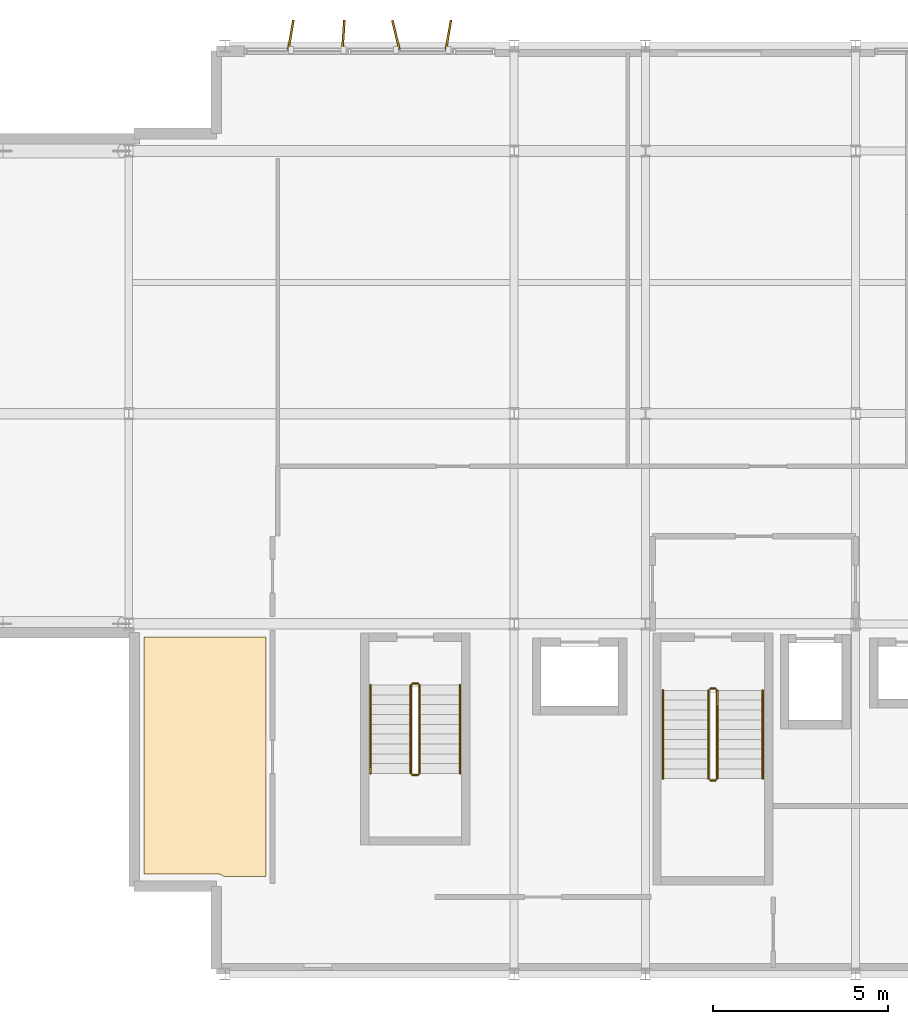
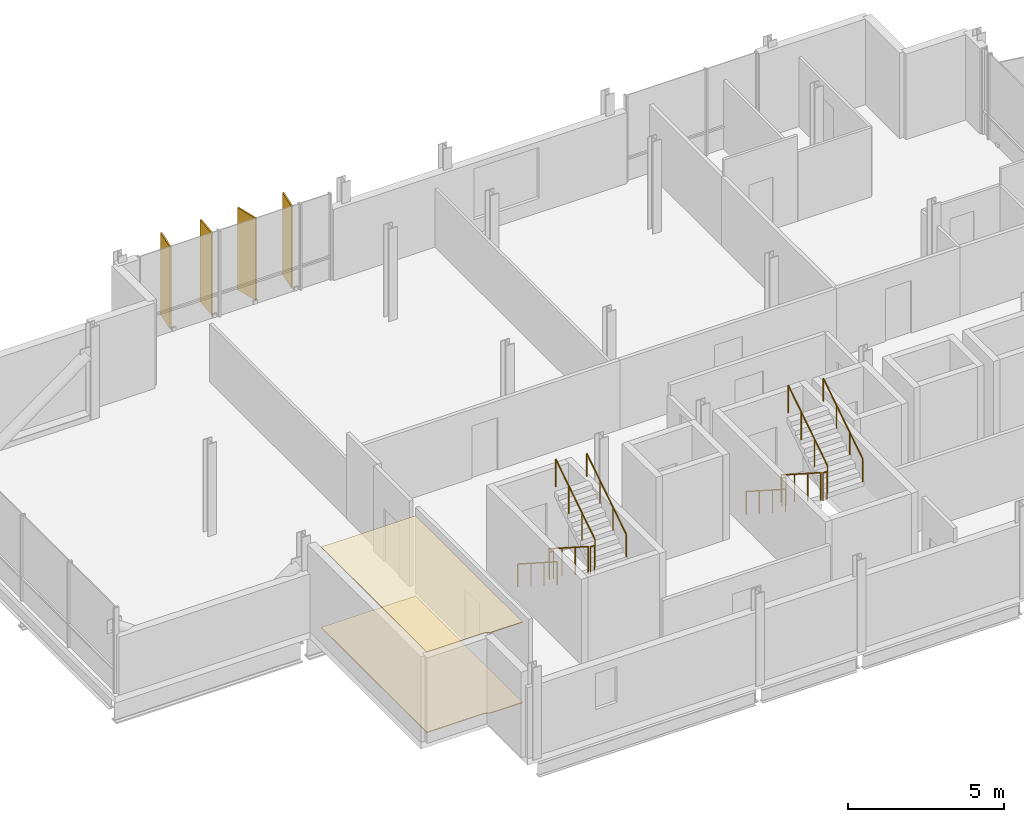
# One storey, part 17 of 18: 12 railings, 4 shading devices, 2 coverings.
"""IFC4 building model written with IfcOpenShell, lengths in metres."""

from ifc_helpers import new_model, si_unit, direction, frame, origin, origin_2d, place, context, subcontext, project, spatial, polyline, rectangle, circle, outline, extrude, material, layer, layer_set, type_object, element, save


model = new_model("IFC4")

# Units and contexts
model_context = context("Model", 3, precision=1e-05, world=origin(), true_north=direction((0.0, 1.0)))
body_context = subcontext(model_context, "Body", "Model", "MODEL_VIEW")
ifc_project = project(units=[si_unit("LENGTHUNIT", "METRE"), si_unit("AREAUNIT", "SQUARE_METRE"), si_unit("VOLUMEUNIT", "CUBIC_METRE"), si_unit("PLANEANGLEUNIT", "RADIAN"), si_unit("MASSUNIT", "GRAM", prefix="KILO")], contexts=[model_context])

# Site, building, storey
site_placement = place(None, origin())
site = spatial("IfcSite", under=ifc_project, at=site_placement, CompositionType="ELEMENT")
building_placement = place(site_placement, origin())
building = spatial("IfcBuilding", under=site, at=building_placement, Name="Brevholm Reach", CompositionType="ELEMENT")
storey_placement = place(building_placement, frame((0.0, 0.0, 243.64990234375)))
storey = spatial("IfcBuildingStorey", under=building, at=storey_placement, Name="L74", CompositionType="ELEMENT", Elevation=243.64990234375)

# Coverings
ifc_material_1 = material(Name="Moisture-Resistant Skimmed Gypsum Plasterboard Ceiling", Category="gypsum")
ifc_layer_1 = layer(ifc_material_1, 0.030029296875)
ifc_layer_set_1 = layer_set([ifc_layer_1], Name="Moisture-Resistant Skimmed Gypsum Plasterboard Ceiling")
covering_type_1 = type_object("IfcCoveringType", Name="COV-CLG-GYP", PredefinedType="CEILING", material=ifc_layer_set_1)
covering_1_placement = place(storey_placement, frame((0.0, 0.0, 3.14013671875)))
element("IfcCovering", 1, at=covering_1_placement, inside=storey, type_object=covering_type_1, Name="L74 Suspended Ceiling L74-11", PredefinedType="CEILING", context=body_context, shape_type="SweptSolid", body=[
    extrude(outline(polyline([(31.166015625, 9.6201171875), (31.166015625, 2.780029296875), (29.9736328125, 2.780029296875), (29.94189453125, 2.803466796875), (29.92724609375, 2.81298828125), (29.911865234375, 2.821533203125), (29.8955078125, 2.828125), (29.845703125, 2.845947265625), (29.82470703125, 2.85205078125), (29.802978515625, 2.855712890625), (29.767822265625, 2.859130859375), (29.75, 2.860107421875), (27.679931640625, 2.860107421875), (27.679931640625, 9.6201171875), (31.166015625, 9.6201171875)])), origin(), (0.0, 0.0, 1.0), 0.030029296875),
])
ifc_material_2 = material(Name="Honed Portland-Aggregate Resin Terrazzo Flooring", Category="concrete")
ifc_layer_2 = layer(ifc_material_2, 0.031982421875)
ifc_layer_set_2 = layer_set([ifc_layer_2], Name="Honed Portland-Aggregate Resin Terrazzo Flooring")
covering_type_2 = type_object("IfcCoveringType", Name="COV-FLR-TRZ", PredefinedType="FLOORING", material=ifc_layer_set_2)
covering_2_placement = place(storey_placement, origin())
element("IfcCovering", 2, at=covering_2_placement, inside=storey, type_object=covering_type_2, Name="L74 Floor Finish L74-11", PredefinedType="FLOORING", context=body_context, shape_type="SweptSolid", body=[
    extrude(outline(polyline([(31.166015625, 9.6201171875), (31.166015625, 2.780029296875), (29.9736328125, 2.780029296875), (29.94189453125, 2.803466796875), (29.92724609375, 2.81298828125), (29.911865234375, 2.821533203125), (29.8955078125, 2.828125), (29.845703125, 2.845947265625), (29.82470703125, 2.85205078125), (29.802978515625, 2.855712890625), (29.767822265625, 2.859130859375), (29.75, 2.860107421875), (27.679931640625, 2.860107421875), (27.679931640625, 9.6201171875), (31.166015625, 9.6201171875)])), origin(), (0.0, 0.0, 1.0), 0.031982421875),
])

# Railings
ifc_material_3 = material(Name="Brushed Stainless Steel EN 1.4401 Continuous Handrail", Category="steel")
railing_type_1 = type_object("IfcRailingType", Name="RAL-HND-950", PredefinedType="HANDRAIL", material=ifc_material_3)
railing_1_placement = place(storey_placement, frame((42.5, 8.10009765625, 0.18017578125)))
element("IfcRailing", 3, at=railing_1_placement, inside=storey, type_object=railing_type_1, Name="L74 ST-2 stair handrail 1", PredefinedType="HANDRAIL", context=body_context, shape_type="SweptSolid", body=[
    extrude(circle(Radius=0.02392578125, at=origin_2d()), frame((0.0, 0.0, 0.8857421875), z_axis=(0.0, -0.841199657755, 0.540724639528), x_axis=(1.0, 0.0, 0.0)), (0.0, 0.0, 1.0), 2.995849609375),
    extrude(circle(Radius=0.02099609375, at=origin_2d()), origin(), (0.0, 0.0, 1.0), 0.86181640625),
    extrude(circle(Radius=0.02099609375, at=origin_2d()), frame((0.0, -0.840087890625, 0.5400390625)), (0.0, 0.0, 1.0), 0.86181640625),
    extrude(circle(Radius=0.02099609375, at=origin_2d()), frame((0.0, -1.679931640625, 1.079833984375)), (0.0, 0.0, 1.0), 0.86181640625),
    extrude(circle(Radius=0.02099609375, at=origin_2d()), frame((0.0, -2.52001953125, 1.619873046875)), (0.0, 0.0, 1.0), 0.86181640625),
])
railing_2_placement = place(storey_placement, frame((45.35009765625, 5.580078125, 1.97998046875)))
element("IfcRailing", 4, at=railing_2_placement, inside=storey, type_object=railing_type_1, Name="L74 ST-2 stair handrail 2", PredefinedType="HANDRAIL", context=body_context, shape_type="SweptSolid", body=[
    extrude(circle(Radius=0.02392578125, at=origin_2d()), frame((0.0, 0.0, 0.8857421875), z_axis=(0.0, 0.841162588446, 0.540782303519), x_axis=(-1.0, 0.0, 0.0)), (0.0, 0.0, 1.0), 2.995849609375),
    extrude(circle(Radius=0.02099609375, at=origin_2d()), origin(), (0.0, 0.0, 1.0), 0.86181640625),
    extrude(circle(Radius=0.02099609375, at=origin_2d()), frame((0.0, 0.840087890625, 0.5400390625)), (0.0, 0.0, 1.0), 0.86181640625),
    extrude(circle(Radius=0.02099609375, at=origin_2d()), frame((0.0, 1.679931640625, 1.080078125)), (0.0, 0.0, 1.0), 0.86181640625),
    extrude(circle(Radius=0.02099609375, at=origin_2d()), frame((0.0, 2.52001953125, 1.6201171875)), (0.0, 0.0, 1.0), 0.86181640625),
])
railing_3_placement = place(storey_placement, frame((34.14990234375, 8.25, 0.18017578125)))
element("IfcRailing", 5, at=railing_3_placement, inside=storey, type_object=railing_type_1, Name="L74 ST-3 stair handrail 1", PredefinedType="HANDRAIL", context=body_context, shape_type="SweptSolid", body=[
    extrude(circle(Radius=0.02392578125, at=origin_2d()), frame((0.0, 0.0, 0.8857421875), z_axis=(0.0, -0.841199657755, 0.540724639528), x_axis=(1.0, 0.0, 0.0)), (0.0, 0.0, 1.0), 2.995849609375),
    extrude(circle(Radius=0.02099609375, at=origin_2d()), origin(), (0.0, 0.0, 1.0), 0.86181640625),
    extrude(circle(Radius=0.02099609375, at=origin_2d()), frame((0.0, -0.840087890625, 0.5400390625)), (0.0, 0.0, 1.0), 0.86181640625),
    extrude(circle(Radius=0.02099609375, at=origin_2d()), frame((0.0, -1.679931640625, 1.079833984375)), (0.0, 0.0, 1.0), 0.86181640625),
    extrude(circle(Radius=0.02099609375, at=origin_2d()), frame((0.0, -2.52001953125, 1.619873046875)), (0.0, 0.0, 1.0), 0.86181640625),
])
railing_4_placement = place(storey_placement, frame((36.699951171875, 5.72998046875, 1.97998046875)))
element("IfcRailing", 6, at=railing_4_placement, inside=storey, type_object=railing_type_1, Name="L74 ST-3 stair handrail 2", PredefinedType="HANDRAIL", context=body_context, shape_type="SweptSolid", body=[
    extrude(circle(Radius=0.02392578125, at=origin_2d()), frame((0.0, 0.0, 0.8857421875), z_axis=(0.0, 0.841162588446, 0.540782303519), x_axis=(-1.0, 0.0, 0.0)), (0.0, 0.0, 1.0), 2.995849609375),
    extrude(circle(Radius=0.02099609375, at=origin_2d()), origin(), (0.0, 0.0, 1.0), 0.86181640625),
    extrude(circle(Radius=0.02099609375, at=origin_2d()), frame((0.0, 0.840087890625, 0.5400390625)), (0.0, 0.0, 1.0), 0.86181640625),
    extrude(circle(Radius=0.02099609375, at=origin_2d()), frame((0.0, 1.679931640625, 1.080078125)), (0.0, 0.0, 1.0), 0.86181640625),
    extrude(circle(Radius=0.02099609375, at=origin_2d()), frame((0.0, 2.52001953125, 1.6201171875)), (0.0, 0.0, 1.0), 0.86181640625),
])
ifc_material_4 = material(Name="Painted Tubular Galvanised Steel S275JR Stair Guard", Category="steel")
railing_type_2 = type_object("IfcRailingType", Name="RAL-STG-1120", PredefinedType="BALUSTRADE", material=ifc_material_4)
railing_5_placement = place(storey_placement, frame((43.800048828125, 8.10009765625, 0.18017578125)))
element("IfcRailing", 7, at=railing_5_placement, inside=storey, type_object=railing_type_2, Name="L74 ST-2 stair guard 1", PredefinedType="BALUSTRADE", context=body_context, shape_type="SweptSolid", body=[
    extrude(circle(Radius=0.02392578125, at=origin_2d()), frame((0.0, 0.0, 1.076171875), z_axis=(0.0, -0.841199657755, 0.540724639528), x_axis=(1.0, 0.0, 0.0)), (0.0, 0.0, 1.0), 2.995849609375),
    extrude(circle(Radius=0.02099609375, at=origin_2d()), origin(), (0.0, 0.0, 1.0), 1.052001953125),
    extrude(circle(Radius=0.02099609375, at=origin_2d()), frame((0.0, -0.840087890625, 0.5400390625)), (0.0, 0.0, 1.0), 1.052001953125),
    extrude(circle(Radius=0.02099609375, at=origin_2d()), frame((0.0, -1.679931640625, 1.079833984375)), (0.0, 0.0, 1.0), 1.052001953125),
    extrude(circle(Radius=0.02099609375, at=origin_2d()), frame((0.0, -2.52001953125, 1.619873046875)), (0.0, 0.0, 1.0), 1.052001953125),
])
railing_6_placement = place(storey_placement, frame((43.85009765625, 5.530029296875, 1.800048828125)))
element("IfcRailing", 8, at=railing_6_placement, inside=storey, type_object=railing_type_2, Name="L74 ST-2 stair guard 2", PredefinedType="BALUSTRADE", context=body_context, shape_type="SweptSolid", body=[
    extrude(circle(Radius=0.02392578125, at=origin_2d()), frame((0.0, 0.0, 1.076171875), z_axis=(1.0, 0.0, 0.0), x_axis=(0.0, 1.0, 0.0)), (0.0, 0.0, 1.0), 0.14990234375),
    extrude(circle(Radius=0.02099609375, at=origin_2d()), origin(), (0.0, 0.0, 1.0), 1.052001953125),
    extrude(circle(Radius=0.02099609375, at=origin_2d()), frame((0.14990234375, 0.0, 0.0)), (0.0, 0.0, 1.0), 1.052001953125),
])
railing_7_placement = place(storey_placement, frame((44.050048828125, 5.580078125, 1.97998046875)))
element("IfcRailing", 9, at=railing_7_placement, inside=storey, type_object=railing_type_2, Name="L74 ST-2 stair guard 3", PredefinedType="BALUSTRADE", context=body_context, shape_type="SweptSolid", body=[
    extrude(circle(Radius=0.02392578125, at=origin_2d()), frame((0.0, 0.0, 1.076171875), z_axis=(0.0, 0.841162588446, 0.540782303519), x_axis=(-1.0, 0.0, 0.0)), (0.0, 0.0, 1.0), 2.995849609375),
    extrude(circle(Radius=0.02099609375, at=origin_2d()), origin(), (0.0, 0.0, 1.0), 1.052001953125),
    extrude(circle(Radius=0.02099609375, at=origin_2d()), frame((0.0, 0.840087890625, 0.5400390625)), (0.0, 0.0, 1.0), 1.052001953125),
    extrude(circle(Radius=0.02099609375, at=origin_2d()), frame((0.0, 1.679931640625, 1.080078125)), (0.0, 0.0, 1.0), 1.052001953125),
    extrude(circle(Radius=0.02099609375, at=origin_2d()), frame((0.0, 2.52001953125, 1.6201171875)), (0.0, 0.0, 1.0), 1.052001953125),
])
railing_8_placement = place(storey_placement, frame((43.85009765625, 8.14990234375, 0.0)))
element("IfcRailing", 10, at=railing_8_placement, inside=storey, type_object=railing_type_2, Name="L74 ST-2 stair guard 4", PredefinedType="BALUSTRADE", context=body_context, shape_type="SweptSolid", body=[
    extrude(circle(Radius=0.02392578125, at=origin_2d()), frame((0.0, 0.0, 1.076171875), z_axis=(1.0, 0.0, 0.0), x_axis=(0.0, 1.0, 0.0)), (0.0, 0.0, 1.0), 0.14990234375),
    extrude(circle(Radius=0.02099609375, at=origin_2d()), origin(), (0.0, 0.0, 1.0), 1.052001953125),
    extrude(circle(Radius=0.02099609375, at=origin_2d()), frame((0.14990234375, 0.0, 0.0)), (0.0, 0.0, 1.0), 1.052001953125),
])
railing_9_placement = place(storey_placement, frame((35.300048828125, 8.25, 0.18017578125)))
element("IfcRailing", 11, at=railing_9_placement, inside=storey, type_object=railing_type_2, Name="L74 ST-3 stair guard 1", PredefinedType="BALUSTRADE", context=body_context, shape_type="SweptSolid", body=[
    extrude(circle(Radius=0.02392578125, at=origin_2d()), frame((0.0, 0.0, 1.076171875), z_axis=(0.0, -0.841199657755, 0.540724639528), x_axis=(1.0, 0.0, 0.0)), (0.0, 0.0, 1.0), 2.995849609375),
    extrude(circle(Radius=0.02099609375, at=origin_2d()), origin(), (0.0, 0.0, 1.0), 1.052001953125),
    extrude(circle(Radius=0.02099609375, at=origin_2d()), frame((0.0, -0.840087890625, 0.5400390625)), (0.0, 0.0, 1.0), 1.052001953125),
    extrude(circle(Radius=0.02099609375, at=origin_2d()), frame((0.0, -1.679931640625, 1.079833984375)), (0.0, 0.0, 1.0), 1.052001953125),
    extrude(circle(Radius=0.02099609375, at=origin_2d()), frame((0.0, -2.52001953125, 1.619873046875)), (0.0, 0.0, 1.0), 1.052001953125),
])
railing_10_placement = place(storey_placement, frame((35.35009765625, 5.679931640625, 1.800048828125)))
element("IfcRailing", 12, at=railing_10_placement, inside=storey, type_object=railing_type_2, Name="L74 ST-3 stair guard 2", PredefinedType="BALUSTRADE", context=body_context, shape_type="SweptSolid", body=[
    extrude(circle(Radius=0.02392578125, at=origin_2d()), frame((0.0, 0.0, 1.076171875), z_axis=(1.0, 0.0, 0.0), x_axis=(0.0, 1.0, 0.0)), (0.0, 0.0, 1.0), 0.14990234375),
    extrude(circle(Radius=0.02099609375, at=origin_2d()), origin(), (0.0, 0.0, 1.0), 1.052001953125),
    extrude(circle(Radius=0.02099609375, at=origin_2d()), frame((0.14990234375, 0.0, 0.0)), (0.0, 0.0, 1.0), 1.052001953125),
])
railing_11_placement = place(storey_placement, frame((35.550048828125, 5.72998046875, 1.97998046875)))
element("IfcRailing", 13, at=railing_11_placement, inside=storey, type_object=railing_type_2, Name="L74 ST-3 stair guard 3", PredefinedType="BALUSTRADE", context=body_context, shape_type="SweptSolid", body=[
    extrude(circle(Radius=0.02392578125, at=origin_2d()), frame((0.0, 0.0, 1.076171875), z_axis=(0.0, 0.841162588446, 0.540782303519), x_axis=(-1.0, 0.0, 0.0)), (0.0, 0.0, 1.0), 2.995849609375),
    extrude(circle(Radius=0.02099609375, at=origin_2d()), origin(), (0.0, 0.0, 1.0), 1.052001953125),
    extrude(circle(Radius=0.02099609375, at=origin_2d()), frame((0.0, 0.840087890625, 0.5400390625)), (0.0, 0.0, 1.0), 1.052001953125),
    extrude(circle(Radius=0.02099609375, at=origin_2d()), frame((0.0, 1.679931640625, 1.080078125)), (0.0, 0.0, 1.0), 1.052001953125),
    extrude(circle(Radius=0.02099609375, at=origin_2d()), frame((0.0, 2.52001953125, 1.6201171875)), (0.0, 0.0, 1.0), 1.052001953125),
])
railing_12_placement = place(storey_placement, frame((35.35009765625, 8.300048828125, 0.0)))
element("IfcRailing", 14, at=railing_12_placement, inside=storey, type_object=railing_type_2, Name="L74 ST-3 stair guard 4", PredefinedType="BALUSTRADE", context=body_context, shape_type="SweptSolid", body=[
    extrude(circle(Radius=0.02392578125, at=origin_2d()), frame((0.0, 0.0, 1.076171875), z_axis=(1.0, 0.0, 0.0), x_axis=(0.0, 1.0, 0.0)), (0.0, 0.0, 1.0), 0.14990234375),
    extrude(circle(Radius=0.02099609375, at=origin_2d()), origin(), (0.0, 0.0, 1.0), 1.052001953125),
    extrude(circle(Radius=0.02099609375, at=origin_2d()), frame((0.14990234375, 0.0, 0.0)), (0.0, 0.0, 1.0), 1.052001953125),
])

# Shading devices
ifc_material_5 = material(Name="Perforated Champagne-Bronze Anodised Aluminium", Category="aluminium")
ifc_layer_3 = layer(ifc_material_5, 0.054931640625)
ifc_layer_set_3 = layer_set([ifc_layer_3], Name="Perforated Champagne-Bronze Anodised Aluminium")
shading_device_type = type_object("IfcShadingDeviceType", Name="SHD-FIN-850", PredefinedType="USERDEFINED", material=ifc_layer_set_3)
for number, where, z_axis, x_axis, name in (
    (15, (31.875, 26.81494140625, 0.0703125), (0.0, 0.0, 1.0), (0.168799039123, 0.985650487948, 0.0), "L74 Perforated Solar Screen Fin 1"),
    (16, (33.375, 26.81494140625, 0.0703125), (0.0, 0.0, 1.0), (0.067458068068, 0.997722110135, 0.0), "L74 Perforated Solar Screen Fin 2"),
    (17, (34.875, 26.81494140625, 0.0703125), (0.0, 0.0, 1.0), (-0.23490461121, 0.97201842762, 0.0), "L74 Perforated Solar Screen Fin 3"),
    (18, (36.375, 26.81494140625, 0.0703125), (0.0, 0.0, 1.0), (0.168799039123, 0.985650487948, 0.0), "L74 Perforated Solar Screen Fin 4"),
):
    element("IfcShadingDevice", number, at=place(storey_placement, frame(where, z_axis=z_axis, x_axis=x_axis)), inside=storey, type_object=shading_device_type, Name=name, ObjectType="SCREEN", PredefinedType="USERDEFINED", context=body_context, shape_type="SweptSolid", body=[
        extrude(rectangle(XDim=0.85009765625, YDim=0.054931640625, at=origin_2d()), origin(), (0.0, 0.0, 1.0), 3.199951171875),
    ])

save(model, "model.ifc")
